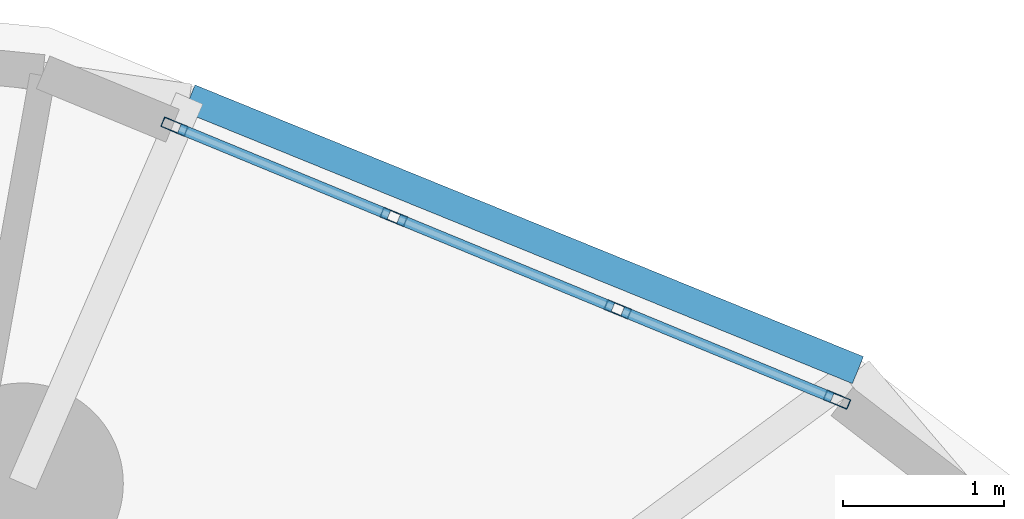
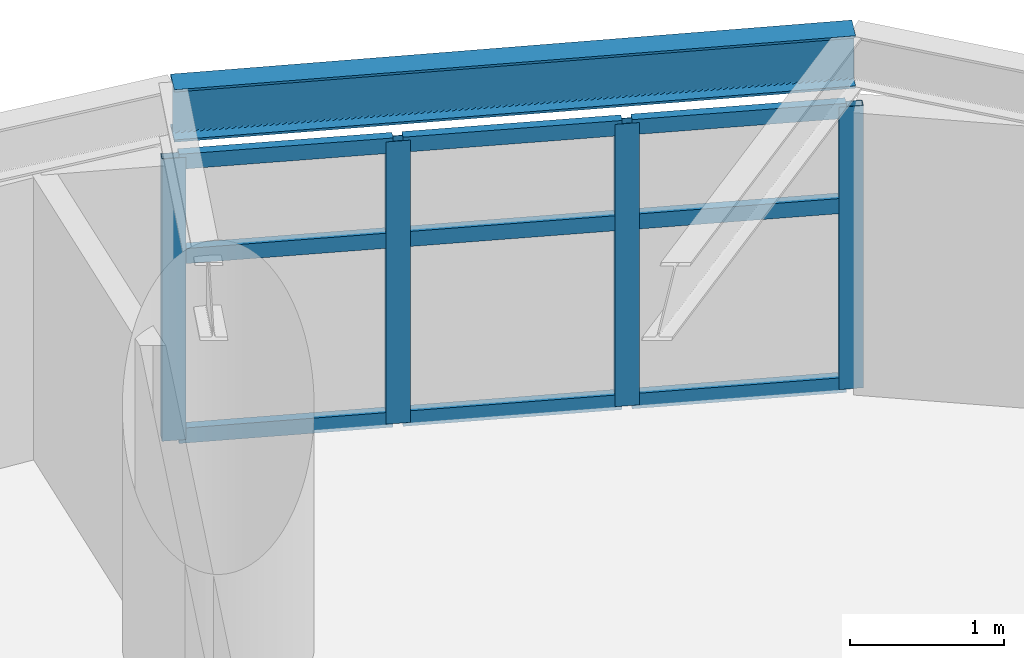
# One storey, part 6 of 17: 13 members, 1 beam, 1 element without a shape of its own.
"""IFC4 building model written with IfcOpenShell, lengths in metres."""

import ifcopenshell
import ifcopenshell.guid

model = None  # the IFC model being written
_history = None  # IfcOwnerHistory: only IFC2X3 demands one
_inside = {}  # id of a spatial element -> (the spatial element, [elements in it])
_under = {}  # id of a project, library or spatial element -> (it, [spatial elements below it])
_declared = {}  # id of a project -> (the project, [libraries it declares])
_typed = {}  # id of a type object -> (the type object, [elements of that type])
_made_of = {}  # id of a material, layer set ... -> (it, [elements and type objects made of it])


def new_model(schema):
    """Start an empty IFC model of exactly this schema.

    Asked for "IFC4X3", IfcOpenShell would pick the latest addendum, in which some entities
    have other attributes; the version numbers below select the first issue.
    IFC2X3 requires an IfcOwnerHistory on every rooted entity: one is made here for all.
    """
    global model, _history
    if schema == "IFC4X3":
        model = ifcopenshell.file(schema_version=(4, 3, 0, 0))
    else:
        model = ifcopenshell.file(schema=schema)
    _inside.clear()
    _under.clear()
    _declared.clear()
    _typed.clear()
    _made_of.clear()
    _history = None
    if model.schema == "IFC2X3":
        org = make("IfcOrganization", Name="unknown")
        user = make(
            "IfcPersonAndOrganization",
            ThePerson=make("IfcPerson", FamilyName="unknown"),
            TheOrganization=org,
        )
        app = make(
            "IfcApplication",
            ApplicationDeveloper=org,
            Version="unknown",
            ApplicationFullName="unknown",
            ApplicationIdentifier="unknown",
        )
        _history = make(
            "IfcOwnerHistory",
            OwningUser=user,
            OwningApplication=app,
            ChangeAction="ADDED",
            CreationDate=0,
        )
    return model


def make(cls, **values):
    """One entity of the class cls with the attributes given. An attribute that is None is left unset."""
    return model.create_entity(
        cls, **{name: value for name, value in values.items() if value is not None}
    )


def rooted(cls, **values):
    """An entity with a GlobalId (a new one), such as an element, a storey or a relation."""
    return make(cls, GlobalId=ifcopenshell.guid.new(), OwnerHistory=_history, **values)


def si_unit(unit_type, name, prefix=None):
    """IfcSIUnit, for example si_unit("LENGTHUNIT", "METRE", prefix="MILLI")."""
    return make("IfcSIUnit", UnitType=unit_type, Prefix=prefix, Name=name)


def assignment(units):
    """IfcUnitAssignment: the units of a project."""
    return None if units is None else make("IfcUnitAssignment", Units=units)


def point(xyz):
    """IfcCartesianPoint."""
    return None if xyz is None else make("IfcCartesianPoint", Coordinates=xyz)


def direction(xyz):
    """IfcDirection."""
    return None if xyz is None else make("IfcDirection", DirectionRatios=xyz)


def frame(location, z_axis=None, x_axis=None):
    """IfcAxis2Placement3D, a coordinate frame: its origin and axes. An axis left out is left unset."""
    return make(
        "IfcAxis2Placement3D",
        Location=point(location),
        Axis=direction(z_axis),
        RefDirection=direction(x_axis),
    )


def frame_2d(location, x_axis=None):
    """IfcAxis2Placement2D, a coordinate frame in the plane: its origin and x axis."""
    return make(
        "IfcAxis2Placement2D", Location=point(location), RefDirection=direction(x_axis)
    )


def origin():
    """The frame at (0, 0, 0) with its axes left unset."""
    return frame((0.0, 0.0, 0.0))


def origin_2d():
    """The frame at (0, 0) in the plane with its x axis left unset."""
    return frame_2d((0.0, 0.0))


def place(relative_to, where):
    """IfcLocalPlacement: puts the frame where relative to a parent placement (None: the world)."""
    return make(
        "IfcLocalPlacement", PlacementRelTo=relative_to, RelativePlacement=where
    )


def context(
    kind, dimensions, precision=None, world=None, true_north=None, identifier=None
):
    """IfcGeometricRepresentationContext, for example the 3D "Model" context."""
    return make(
        "IfcGeometricRepresentationContext",
        ContextIdentifier=identifier,
        ContextType=kind,
        CoordinateSpaceDimension=dimensions,
        Precision=precision,
        WorldCoordinateSystem=world,
        TrueNorth=true_north,
    )


def subcontext(parent, identifier, kind, view, scale=None):
    """IfcGeometricRepresentationSubContext, for example "Body" below "Model"."""
    return make(
        "IfcGeometricRepresentationSubContext",
        ContextIdentifier=identifier,
        ContextType=kind,
        ParentContext=parent,
        TargetScale=scale,
        TargetView=view,
    )


def project(units=None, contexts=None):
    """IfcProject with its units and contexts."""
    return rooted(
        "IfcProject",
        Name="project",
        RepresentationContexts=contexts,
        UnitsInContext=assignment(units),
    )


def spatial(cls, under=None, at=None, **own):
    """A site, building, storey or space (cls), placed at a placement, below another one or the project."""
    s = rooted(cls, ObjectPlacement=at, **own)
    if under is not None:
        _under.setdefault(under.id(), (under, []))[1].append(s)
    return s


def profile(cls, at=None, kind="AREA", **sizes):
    """A parametric profile (cls). Its sizes go by their IFC names, for example OverallWidth=200.0."""
    return make(cls, ProfileType=kind, Position=at, **sizes)


def hollow_rectangle(**sizes):
    """IfcRectangleHollowProfileDef."""
    return profile("IfcRectangleHollowProfileDef", **sizes)


def i_section(**sizes):
    """IfcIShapeProfileDef."""
    return profile("IfcIShapeProfileDef", **sizes)


def extrude(swept, where, along, depth):
    """IfcExtrudedAreaSolid: the profile swept, set in the frame where, extruded along a direction by depth."""
    return make(
        "IfcExtrudedAreaSolid",
        SweptArea=swept,
        Position=where,
        ExtrudedDirection=direction(along),
        Depth=depth,
    )


def shape(context_of_items, identifier, shape_type, items):
    """IfcShapeRepresentation: the items that make up one representation, for example the "Body"."""
    return make(
        "IfcShapeRepresentation",
        ContextOfItems=context_of_items,
        RepresentationIdentifier=identifier,
        RepresentationType=shape_type,
        Items=items,
    )


def material(Name=None, Category=None):
    """IfcMaterial."""
    return make("IfcMaterial", Name=Name, Category=Category)


def layer(
    of_material, thickness, ventilated=None, Name=None, Category=None, Priority=None
):
    """IfcMaterialLayer: one layer of a wall or slab, of a material (None: an air gap)."""
    return make(
        "IfcMaterialLayer",
        Material=of_material,
        LayerThickness=thickness,
        IsVentilated=ventilated,
        Name=Name,
        Category=Category,
        Priority=Priority,
    )


def layer_set(layers, Name=None):
    """IfcMaterialLayerSet."""
    return make("IfcMaterialLayerSet", MaterialLayers=layers, LayerSetName=Name)


def material_profile(
    of_material, cross_section, Name=None, Category=None, Priority=None
):
    """IfcMaterialProfile: a cross section and its material."""
    return make(
        "IfcMaterialProfile",
        Name=Name,
        Material=of_material,
        Profile=cross_section,
        Priority=Priority,
        Category=Category,
    )


def profile_set(profiles, Name=None, composite=None):
    """IfcMaterialProfileSet."""
    return make(
        "IfcMaterialProfileSet",
        Name=Name,
        MaterialProfiles=profiles,
        CompositeProfile=composite,
    )


def made_of(thing, what):
    """Note that an element or type object is made of a material, layer set ...; save() writes the relation."""
    if what is not None:
        _made_of.setdefault(what.id(), (what, []))[1].append(thing)
    return thing


def type_object(cls, material=None, **own):
    """A type object (cls), such as IfcWallType, which elements share."""
    return made_of(rooted(cls, **own), material)


def element(
    cls,
    number,
    at=None,
    inside=None,
    cuts=None,
    type_object=None,
    material=None,
    context=None,
    identifier="Body",
    shape_type=None,
    held_by="IfcProductDefinitionShape",
    body=None,
    shapes=None,
    **own,
):
    """One element of the class cls, such as IfcWall. Its Tag is "e" and its number.

    at: its placement. inside: the storey or other place that contains it. cuts: it is an
    opening in that element (IfcRelVoidsElement). A single representation is given by context,
    identifier, shape_type and body (its items); several are given by shapes. held_by: the class
    of the entity that holds the representations. save() writes the other relations.
    """
    e = rooted(cls, Tag="e%d" % number, ObjectPlacement=at, **own)
    if body is not None:
        shapes = [shape(context, identifier, shape_type, body)]
    if shapes is not None:
        e.Representation = make(held_by, Representations=shapes)
    if inside is not None:
        _inside.setdefault(inside.id(), (inside, []))[1].append(e)
    if cuts is not None:
        rooted(
            "IfcRelVoidsElement", RelatingBuildingElement=cuts, RelatedOpeningElement=e
        )
    if type_object is not None:
        _typed.setdefault(type_object.id(), (type_object, []))[1].append(e)
    return made_of(e, material)


def aggregate(whole, parts):
    """IfcRelAggregates: a whole, such as a stair, and the parts it consists of."""
    return rooted("IfcRelAggregates", RelatingObject=whole, RelatedObjects=parts)


def save(model, path):
    """Write the relations noted so far, then the file.

    IfcRelAggregates (storeys below a building ...), IfcRelContainedInSpatialStructure (elements
    in a storey), IfcRelDefinesByType, IfcRelAssociatesMaterial and IfcRelDeclares: one each for
    every whole, place, type object, material and project.
    """
    for whole, parts in _under.values():
        aggregate(whole, parts)
    for where, things in _inside.values():
        rooted(
            "IfcRelContainedInSpatialStructure",
            RelatedElements=things,
            RelatingStructure=where,
        )
    for kind, things in _typed.values():
        rooted("IfcRelDefinesByType", RelatedObjects=things, RelatingType=kind)
    for what, things in _made_of.values():
        rooted("IfcRelAssociatesMaterial", RelatedObjects=things, RelatingMaterial=what)
    for by, libraries in _declared.values():
        rooted("IfcRelDeclares", RelatingContext=by, RelatedDefinitions=libraries)
    model.write(path)


model = new_model("IFC4")

# Units and contexts
model_context = context("Model", 3, precision=1e-05, world=origin(), true_north=direction((0.0, 1.0)))
body_context = subcontext(model_context, "Body", "Model", "MODEL_VIEW")
ifc_project = project(units=[si_unit("LENGTHUNIT", "METRE"), si_unit("AREAUNIT", "SQUARE_METRE"), si_unit("VOLUMEUNIT", "CUBIC_METRE"), si_unit("PLANEANGLEUNIT", "RADIAN"), si_unit("MASSUNIT", "GRAM", prefix="KILO")], contexts=[model_context])

# Site, building, storey
site_placement = place(None, origin())
site = spatial("IfcSite", under=ifc_project, at=site_placement, CompositionType="ELEMENT")
building_placement = place(site_placement, origin())
building = spatial("IfcBuilding", under=site, at=building_placement, Name="Cununo Teusaquillo Station Towers", CompositionType="ELEMENT")
storey_placement = place(building_placement, frame((0.0, 0.0, 163.239990234375)))
storey = spatial("IfcBuildingStorey", under=building, at=storey_placement, Name="L51", CompositionType="ELEMENT", Elevation=163.239990234375)

# Beam
ifc_material_1 = material(Name="Steel ASTM A572 Grade 50", Category="steel")
ifc_material_profile_1 = material_profile(ifc_material_1, i_section(OverallWidth=0.180908203125, OverallDepth=0.4169921875, WebThickness=0.010986328125, FlangeThickness=0.018310546875, FilletRadius=0.012939453125, at=origin_2d()), Name="W16X57")
ifc_profile_set_1 = profile_set([ifc_material_profile_1], Name="Steel ASTM A572 Grade 50")
beam_type = type_object("IfcBeamType", Name="BM-RING-Z3", PredefinedType="SPANDREL", material=ifc_profile_set_1)
beam_placement = place(storey_placement, frame((63.478271484375, 38.340087890625, 2.4814453125), z_axis=(-0.926380466449, 0.376588942192, 0.0), x_axis=(-0.376588942192, -0.926380466449, 0.0)))
element("IfcBeam", 1, at=beam_placement, inside=storey, type_object=beam_type, Name="L51 Tower B Spandrel Ring Beam 02", PredefinedType="SPANDREL", context=body_context, shape_type="SweptSolid", body=[
    extrude(i_section(OverallWidth=0.180908203125, OverallDepth=0.4169921875, WebThickness=0.010986328125, FlangeThickness=0.018310546875, FilletRadius=0.012939453125, at=origin_2d()), origin(), (0.0, 0.0, 1.0), 4.48095703125),
])

# Curtain wall, members
ifc_material_2 = material(Name="Operable acoustic tinted low-E double glazing", Category="glass")
ifc_layer = layer(ifc_material_2, 0.179931640625)
ifc_layer_set = layer_set([ifc_layer], Name="Operable acoustic tinted low-E double glazing")
curtain_wall_type = type_object("IfcCurtainWallType", Name="CW-SYS-06", PredefinedType="USERDEFINED", material=ifc_layer_set)
curtain_wall_placement = place(storey_placement, origin())
curtain_wall = element("IfcCurtainWall", 2, at=curtain_wall_placement, inside=storey, type_object=curtain_wall_type, Name="L51 Tower B Facade Curtain Wall C01", ObjectType="OPERABLE GLAZING", PredefinedType="USERDEFINED")
ifc_material_3 = material(Name="Anodised dark bronze aluminium EN AW-6063-T6", Category="aluminium")
ifc_material_profile_2 = material_profile(ifc_material_3, hollow_rectangle(XDim=0.06494140625, YDim=0.159912109375, WallThickness=0.00390625, at=origin_2d()), Name="CW-MULL-65x160")
ifc_profile_set_2 = profile_set([ifc_material_profile_2], Name="Anodised dark bronze aluminium EN AW-6063-T6")
member_type_1 = type_object("IfcMemberType", Name="CWM-160", PredefinedType="MULLION", material=ifc_profile_set_2)
member_1_placement = place(storey_placement, frame((59.233642578125, 39.852783203125, 0.0), z_axis=(0.0, 0.0, 1.0), x_axis=(0.381121790423, 0.924524840588, 0.0)))
member_1 = element("IfcMember", 3, at=member_1_placement, type_object=member_type_1, Name="CW-06 mullion 1", PredefinedType="MULLION", context=body_context, shape_type="SweptSolid", body=[
    extrude(hollow_rectangle(XDim=0.06494140625, YDim=0.159912109375, WallThickness=0.00390625, at=origin_2d()), origin(), (0.0, 0.0, 1.0), 2.2451171875),
])
member_2_placement = place(storey_placement, frame((60.59521484375, 39.29150390625, 0.0), z_axis=(0.0, 0.0, 1.0), x_axis=(0.381121790423, 0.924524840588, 0.0)))
member_2 = element("IfcMember", 4, at=member_2_placement, type_object=member_type_1, Name="CW-06 mullion 2", PredefinedType="MULLION", context=body_context, shape_type="SweptSolid", body=[
    extrude(hollow_rectangle(XDim=0.06494140625, YDim=0.159912109375, WallThickness=0.00390625, at=origin_2d()), origin(), (0.0, 0.0, 1.0), 2.2451171875),
])
member_3_placement = place(storey_placement, frame((61.98681640625, 38.7177734375, 0.0), z_axis=(0.0, 0.0, 1.0), x_axis=(0.381121790423, 0.924524840588, 0.0)))
member_3 = element("IfcMember", 5, at=member_3_placement, type_object=member_type_1, Name="CW-06 mullion 3", PredefinedType="MULLION", context=body_context, shape_type="SweptSolid", body=[
    extrude(hollow_rectangle(XDim=0.06494140625, YDim=0.159912109375, WallThickness=0.00390625, at=origin_2d()), origin(), (0.0, 0.0, 1.0), 2.2451171875),
])
member_4_placement = place(storey_placement, frame((63.348388671875, 38.156494140625, 0.0), z_axis=(0.0, 0.0, 1.0), x_axis=(0.381121790423, 0.924524840588, 0.0)))
member_4 = element("IfcMember", 6, at=member_4_placement, type_object=member_type_1, Name="CW-06 mullion 4", PredefinedType="MULLION", context=body_context, shape_type="SweptSolid", body=[
    extrude(hollow_rectangle(XDim=0.06494140625, YDim=0.159912109375, WallThickness=0.00390625, at=origin_2d()), origin(), (0.0, 0.0, 1.0), 2.2451171875),
])
ifc_material_4 = material(Name="Anodised dark bronze aluminium EN AW-6063-T6", Category="aluminium")
ifc_material_profile_3 = material_profile(ifc_material_4, hollow_rectangle(XDim=0.06494140625, YDim=0.1201171875, WallThickness=0.00390625, at=origin_2d()), Name="CW-TRAN-65x120")
ifc_profile_set_3 = profile_set([ifc_material_profile_3], Name="Anodised dark bronze aluminium EN AW-6063-T6")
member_type_2 = type_object("IfcMemberType", Name="CWT-120", PredefinedType="USERDEFINED", material=ifc_profile_set_3)
member_5_placement = place(storey_placement, frame((59.263916015625, 39.84033203125, 0.032470703125), z_axis=(0.924537934154, -0.381090026517, 0.0), x_axis=(0.381090026517, 0.924537934154, 0.0)))
member_5 = element("IfcMember", 7, at=member_5_placement, type_object=member_type_2, Name="CW-06 transom 1.1", ObjectType="TRANSOM", PredefinedType="USERDEFINED", context=body_context, shape_type="SweptSolid", body=[
    extrude(hollow_rectangle(XDim=0.06494140625, YDim=0.1201171875, WallThickness=0.00390625, at=origin_2d()), origin(), (0.0, 0.0, 1.0), 1.407470703125),
])
member_6_placement = place(storey_placement, frame((59.263916015625, 39.84033203125, 1.458984375), z_axis=(0.924537934154, -0.381090026517, 0.0), x_axis=(0.381090026517, 0.924537934154, 0.0)))
member_6 = element("IfcMember", 8, at=member_6_placement, type_object=member_type_2, Name="CW-06 transom 1.2", ObjectType="TRANSOM", PredefinedType="USERDEFINED", context=body_context, shape_type="SweptSolid", body=[
    extrude(hollow_rectangle(XDim=0.06494140625, YDim=0.1201171875, WallThickness=0.00390625, at=origin_2d()), origin(), (0.0, 0.0, 1.0), 1.407470703125),
])
member_7_placement = place(storey_placement, frame((59.263916015625, 39.84033203125, 2.21240234375), z_axis=(0.924537934154, -0.381090026517, 0.0), x_axis=(0.381090026517, 0.924537934154, 0.0)))
member_7 = element("IfcMember", 9, at=member_7_placement, type_object=member_type_2, Name="CW-06 transom 1.3", ObjectType="TRANSOM", PredefinedType="USERDEFINED", context=body_context, shape_type="SweptSolid", body=[
    extrude(hollow_rectangle(XDim=0.06494140625, YDim=0.1201171875, WallThickness=0.00390625, at=origin_2d()), origin(), (0.0, 0.0, 1.0), 1.407470703125),
])
member_8_placement = place(storey_placement, frame((60.625244140625, 39.279052734375, 0.032470703125), z_axis=(0.924544635002, -0.381073769616, 0.0), x_axis=(0.381073769616, 0.924544635002, 0.0)))
member_8 = element("IfcMember", 10, at=member_8_placement, type_object=member_type_2, Name="CW-06 transom 2.1", ObjectType="TRANSOM", PredefinedType="USERDEFINED", context=body_context, shape_type="SweptSolid", body=[
    extrude(hollow_rectangle(XDim=0.06494140625, YDim=0.1201171875, WallThickness=0.00390625, at=origin_2d()), origin(), (0.0, 0.0, 1.0), 1.440185546875),
])
member_9_placement = place(storey_placement, frame((60.625244140625, 39.279052734375, 1.458984375), z_axis=(0.924544635002, -0.381073769616, 0.0), x_axis=(0.381073769616, 0.924544635002, 0.0)))
member_9 = element("IfcMember", 11, at=member_9_placement, type_object=member_type_2, Name="CW-06 transom 2.2", ObjectType="TRANSOM", PredefinedType="USERDEFINED", context=body_context, shape_type="SweptSolid", body=[
    extrude(hollow_rectangle(XDim=0.06494140625, YDim=0.1201171875, WallThickness=0.00390625, at=origin_2d()), origin(), (0.0, 0.0, 1.0), 1.440185546875),
])
member_10_placement = place(storey_placement, frame((60.625244140625, 39.279052734375, 2.21240234375), z_axis=(0.924544635002, -0.381073769616, 0.0), x_axis=(0.381073769616, 0.924544635002, 0.0)))
member_10 = element("IfcMember", 12, at=member_10_placement, type_object=member_type_2, Name="CW-06 transom 2.3", ObjectType="TRANSOM", PredefinedType="USERDEFINED", context=body_context, shape_type="SweptSolid", body=[
    extrude(hollow_rectangle(XDim=0.06494140625, YDim=0.1201171875, WallThickness=0.00390625, at=origin_2d()), origin(), (0.0, 0.0, 1.0), 1.440185546875),
])
member_11_placement = place(storey_placement, frame((62.016845703125, 38.70556640625, 0.032470703125), z_axis=(0.924502014319, -0.381177157658, 0.0), x_axis=(0.381177157658, 0.924502014319, 0.0)))
member_11 = element("IfcMember", 13, at=member_11_placement, type_object=member_type_2, Name="CW-06 transom 3.1", ObjectType="TRANSOM", PredefinedType="USERDEFINED", context=body_context, shape_type="SweptSolid", body=[
    extrude(hollow_rectangle(XDim=0.06494140625, YDim=0.1201171875, WallThickness=0.00390625, at=origin_2d()), origin(), (0.0, 0.0, 1.0), 1.40771484375),
])
member_12_placement = place(storey_placement, frame((62.016845703125, 38.70556640625, 1.458984375), z_axis=(0.924502014319, -0.381177157658, 0.0), x_axis=(0.381177157658, 0.924502014319, 0.0)))
member_12 = element("IfcMember", 14, at=member_12_placement, type_object=member_type_2, Name="CW-06 transom 3.2", ObjectType="TRANSOM", PredefinedType="USERDEFINED", context=body_context, shape_type="SweptSolid", body=[
    extrude(hollow_rectangle(XDim=0.06494140625, YDim=0.1201171875, WallThickness=0.00390625, at=origin_2d()), origin(), (0.0, 0.0, 1.0), 1.40771484375),
])
member_13_placement = place(storey_placement, frame((62.016845703125, 38.70556640625, 2.21240234375), z_axis=(0.924502014319, -0.381177157658, 0.0), x_axis=(0.381177157658, 0.924502014319, 0.0)))
member_13 = element("IfcMember", 15, at=member_13_placement, type_object=member_type_2, Name="CW-06 transom 3.3", ObjectType="TRANSOM", PredefinedType="USERDEFINED", context=body_context, shape_type="SweptSolid", body=[
    extrude(hollow_rectangle(XDim=0.06494140625, YDim=0.1201171875, WallThickness=0.00390625, at=origin_2d()), origin(), (0.0, 0.0, 1.0), 1.40771484375),
])
aggregate(curtain_wall, [member_1, member_2, member_3, member_4, member_5, member_6, member_7, member_8, member_9, member_10, member_11, member_12, member_13])

save(model, "model.ifc")
